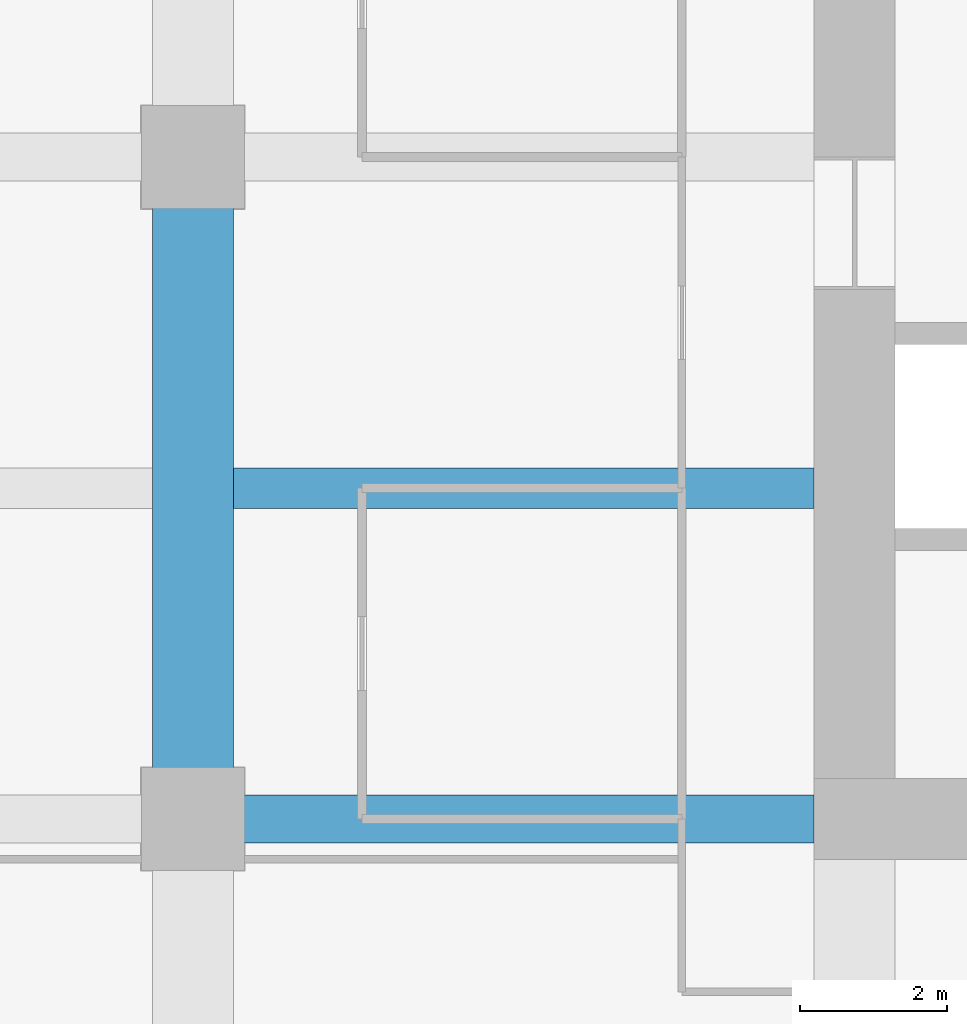
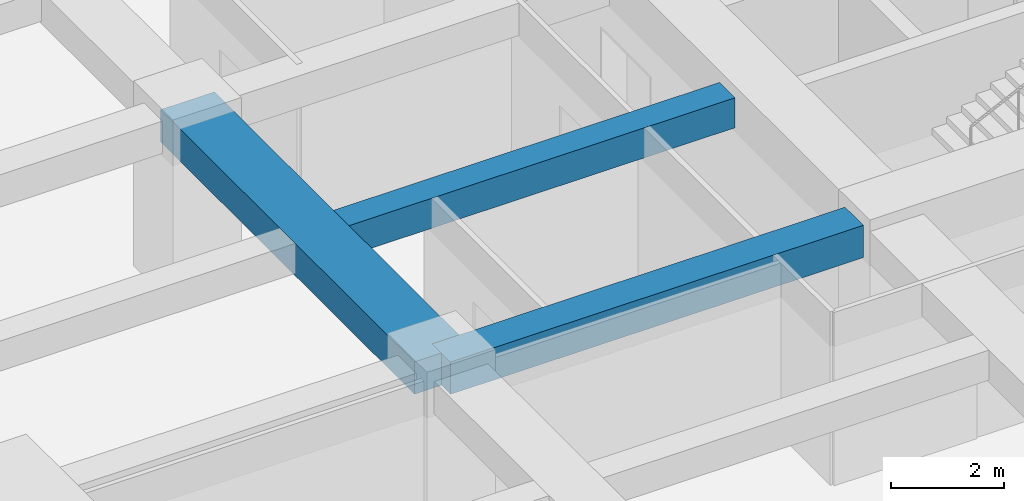
# One storey, part 10 of 32: 3 beams.
"""IFC4 building model written with IfcOpenShell, lengths in metres."""

from ifc_helpers import new_model, si_unit, direction, frame, origin, origin_2d, place, context, subcontext, project, spatial, rectangle, extrude, material, material_profile, profile_set, type_object, element, save


model = new_model("IFC4")

# Units and contexts
model_context = context("Model", 3, precision=1e-05, world=origin(), true_north=direction((0.0, 1.0)))
body_context = subcontext(model_context, "Body", "Model", "MODEL_VIEW")
ifc_project = project(units=[si_unit("LENGTHUNIT", "METRE"), si_unit("AREAUNIT", "SQUARE_METRE"), si_unit("VOLUMEUNIT", "CUBIC_METRE"), si_unit("PLANEANGLEUNIT", "RADIAN"), si_unit("MASSUNIT", "GRAM", prefix="KILO")], contexts=[model_context])

# Site, building, storey
site_placement = place(None, origin())
site = spatial("IfcSite", under=ifc_project, at=site_placement, CompositionType="ELEMENT")
building_placement = place(site_placement, origin())
building = spatial("IfcBuilding", under=site, at=building_placement, Name="Zorevar Civic Tower", CompositionType="ELEMENT")
storey_placement = place(building_placement, frame((0.0, 0.0, 198.199951171875)))
storey = spatial("IfcBuildingStorey", under=building, at=storey_placement, Name="L48", CompositionType="ELEMENT", Elevation=198.199951171875)

# Beams
ifc_material_1 = material(Name="Concrete C50/60", Category="concrete")
ifc_material_profile_1 = material_profile(ifc_material_1, rectangle(XDim=1.10009765625, YDim=0.699951171875, at=origin_2d()), Name="RC 1100x700")
ifc_profile_set_1 = profile_set([ifc_material_profile_1], Name="Concrete C50/60")
beam_type_1 = type_object("IfcBeamType", Name="Beam RC 1100x700", PredefinedType="BEAM", material=ifc_profile_set_1)
beam_1_placement = place(storey_placement, frame((9.0, 18.0, 3.400146484375), z_axis=(0.0, 1.0, 0.0), x_axis=(-1.0, 0.0, 0.0)))
element("IfcBeam", 1, at=beam_1_placement, inside=storey, type_object=beam_type_1, Name="Girder L49", PredefinedType="BEAM", context=body_context, shape_type="SweptSolid", body=[
    extrude(rectangle(XDim=1.10009765625, YDim=0.699951171875, at=origin_2d()), origin(), (0.0, 0.0, 1.0), 9.0),
])
ifc_material_2 = material(Name="Concrete C50/60", Category="concrete")
ifc_material_profile_2 = material_profile(ifc_material_2, rectangle(XDim=0.550048828125, YDim=0.64990234375, at=origin_2d()), Name="RC 550x650")
ifc_profile_set_2 = profile_set([ifc_material_profile_2], Name="Concrete C50/60")
beam_type_2 = type_object("IfcBeamType", Name="Beam RC 550x650", PredefinedType="BEAM", material=ifc_profile_set_2)
beam_2_placement = place(storey_placement, frame((9.550048828125, 22.5, 3.425048828125), z_axis=(1.0, 0.0, 0.0), x_axis=(0.0, 1.0, 0.0)))
element("IfcBeam", 2, at=beam_2_placement, inside=storey, type_object=beam_type_2, Name="Secondary beam L49", PredefinedType="BEAM", context=body_context, shape_type="SweptSolid", body=[
    extrude(rectangle(XDim=0.550048828125, YDim=0.64990234375, at=origin_2d()), origin(), (0.0, 0.0, 1.0), 7.89990234375),
])
ifc_material_3 = material(Name="Concrete C50/60", Category="concrete")
ifc_material_profile_3 = material_profile(ifc_material_3, rectangle(XDim=0.64990234375, YDim=0.699951171875, at=origin_2d()), Name="RC 650x700")
ifc_profile_set_3 = profile_set([ifc_material_profile_3], Name="Concrete C50/60")
beam_type_3 = type_object("IfcBeamType", Name="Beam RC 650x700", PredefinedType="BEAM", material=ifc_profile_set_3)
beam_3_placement = place(storey_placement, frame((9.0, 18.0, 3.400146484375), z_axis=(1.0, 0.0, 0.0), x_axis=(0.0, 1.0, 0.0)))
element("IfcBeam", 3, at=beam_3_placement, inside=storey, type_object=beam_type_3, Name="Girder L49", PredefinedType="BEAM", context=body_context, shape_type="SweptSolid", body=[
    extrude(rectangle(XDim=0.64990234375, YDim=0.699951171875, at=origin_2d()), origin(), (0.0, 0.0, 1.0), 8.449951171875),
])

save(model, "model.ifc")
